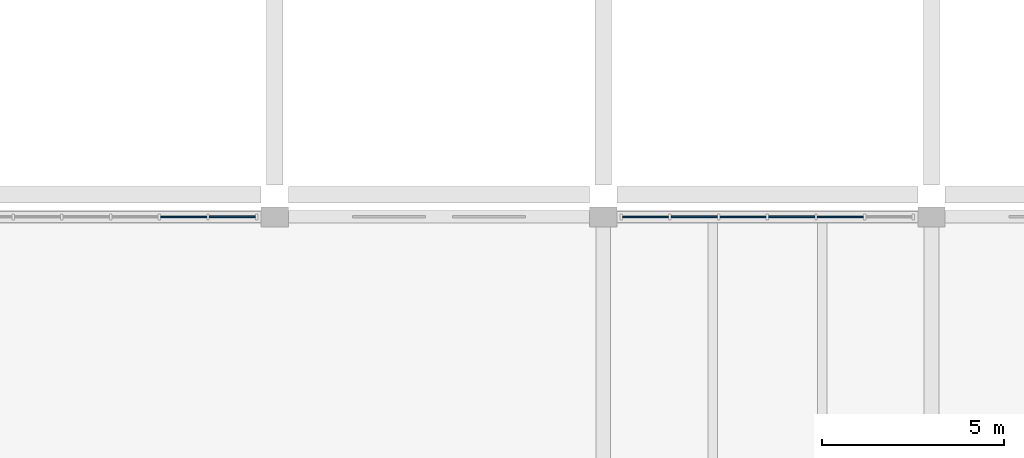
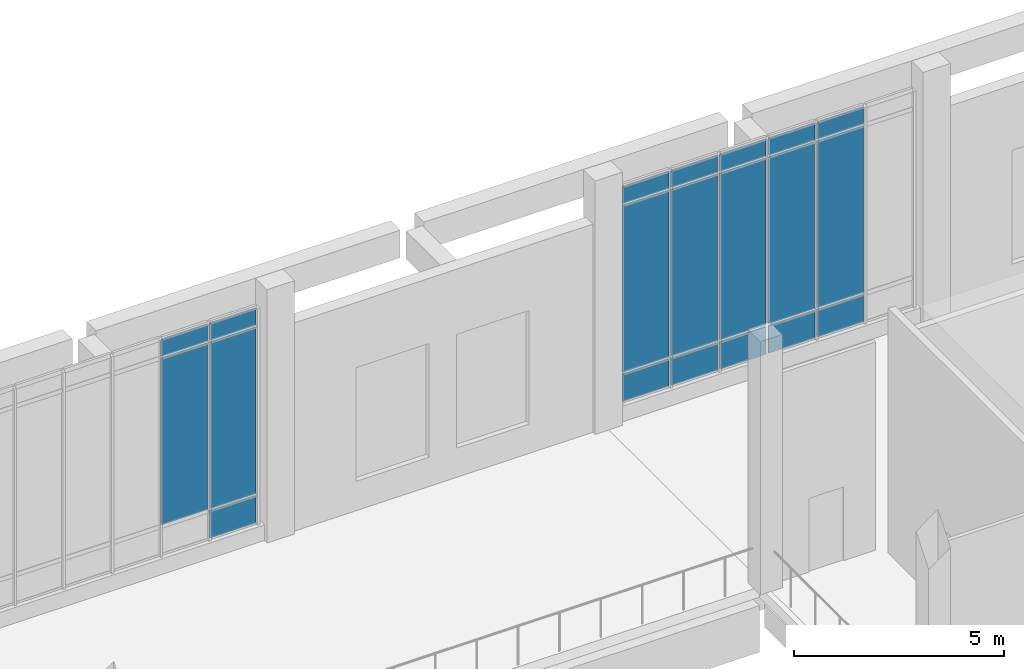
# One storey, part 57 of 110: 20 plates, 2 elements without a shape of their own.
"""IFC4 building model written with IfcOpenShell, lengths in metres."""

from ifc_helpers import new_model, si_unit, direction, frame, origin, origin_2d, place, context, subcontext, project, spatial, rectangle, extrude, material, layer, layer_set, type_object, element, aggregate, save


model = new_model("IFC4")

# Units and contexts
model_context = context("Model", 3, precision=1e-05, world=origin(), true_north=direction((0.0, 1.0)))
body_context = subcontext(model_context, "Body", "Model", "MODEL_VIEW")
ifc_project = project(units=[si_unit("LENGTHUNIT", "METRE"), si_unit("AREAUNIT", "SQUARE_METRE"), si_unit("VOLUMEUNIT", "CUBIC_METRE"), si_unit("PLANEANGLEUNIT", "RADIAN"), si_unit("MASSUNIT", "GRAM", prefix="KILO")], contexts=[model_context])

# Site, building, storey
site_placement = place(None, origin())
site = spatial("IfcSite", under=ifc_project, at=site_placement, CompositionType="ELEMENT")
building_placement = place(site_placement, origin())
building = spatial("IfcBuilding", under=site, at=building_placement, Name="Zacnel Wholesale Market", CompositionType="ELEMENT")
storey_placement = place(building_placement, frame((0.0, 0.0, 6.300048828125)))
storey = spatial("IfcBuildingStorey", under=building, at=storey_placement, Name="L02", CompositionType="ELEMENT", Elevation=6.300048828125)

# Curtain wall, plates
ifc_material_1 = material(Name="Anodised aluminium", Category="aluminium")
ifc_layer_1 = layer(ifc_material_1, 0.179931640625)
ifc_layer_set_1 = layer_set([ifc_layer_1], Name="Anodised aluminium")
curtain_wall_type = type_object("IfcCurtainWallType", Name="CW-AUCT-5800", PredefinedType="NOTDEFINED", material=ifc_layer_set_1)
curtain_wall_1_placement = place(storey_placement, origin())
curtain_wall_1 = element("IfcCurtainWall", 1, at=curtain_wall_1_placement, inside=storey, type_object=curtain_wall_type, Name="Curtain wall ENV-R2-CW-L02-011", PredefinedType="NOTDEFINED")
ifc_material_2 = material(Name="Laminated hurricane-impact low-E insulated glass", Category="glass")
ifc_layer_2 = layer(ifc_material_2, 0.035888671875)
ifc_layer_set_2 = layer_set([ifc_layer_2], Name="Laminated hurricane-impact low-E insulated glass")
plate_type_1 = type_object("IfcPlateType", Name="CWP-PNL-04", PredefinedType="CURTAIN_PANEL", material=ifc_layer_set_2)
plate_1_placement = place(storey_placement, frame((105.50244140625, 47.699951171875, 1.329833984375), z_axis=(0.0, 0.0, 1.0), x_axis=(1.0, 0.0, 0.0)))
plate_1 = element("IfcPlate", 2, at=plate_1_placement, type_object=plate_type_1, Name="ENV-R2-CW-L02-011 panel 5-2", PredefinedType="CURTAIN_PANEL", context=body_context, shape_type="SweptSolid", body=[
    extrude(rectangle(XDim=1.264892578125, YDim=0.035888671875, at=origin_2d()), origin(), (0.0, 0.0, 1.0), 4.830078125),
])
plate_2_placement = place(storey_placement, frame((106.83740234375, 47.699951171875, 1.329833984375), z_axis=(0.0, 0.0, 1.0), x_axis=(1.0, 0.0, 0.0)))
plate_2 = element("IfcPlate", 3, at=plate_2_placement, type_object=plate_type_1, Name="ENV-R2-CW-L02-011 panel 6-2", PredefinedType="CURTAIN_PANEL", context=body_context, shape_type="SweptSolid", body=[
    extrude(rectangle(XDim=1.264892578125, YDim=0.035888671875, at=origin_2d()), origin(), (0.0, 0.0, 1.0), 4.830078125),
])

curtain_wall_2_placement = place(storey_placement, origin())
curtain_wall_2 = element("IfcCurtainWall", 4, at=curtain_wall_2_placement, inside=storey, type_object=curtain_wall_type, Name="Curtain wall ENV-R2-CW-L02-012", PredefinedType="NOTDEFINED")
plate_3_placement = place(storey_placement, frame((118.16259765625, 47.699951171875, 1.329833984375), z_axis=(0.0, 0.0, 1.0), x_axis=(1.0, 0.0, 0.0)))
plate_3 = element("IfcPlate", 5, at=plate_3_placement, type_object=plate_type_1, Name="ENV-R2-CW-L02-012 panel 1-2", PredefinedType="CURTAIN_PANEL", context=body_context, shape_type="SweptSolid", body=[
    extrude(rectangle(XDim=1.264892578125, YDim=0.035888671875, at=origin_2d()), origin(), (0.0, 0.0, 1.0), 4.830078125),
])
plate_4_placement = place(storey_placement, frame((119.49755859375, 47.699951171875, 1.329833984375), z_axis=(0.0, 0.0, 1.0), x_axis=(1.0, 0.0, 0.0)))
plate_4 = element("IfcPlate", 6, at=plate_4_placement, type_object=plate_type_1, Name="ENV-R2-CW-L02-012 panel 2-2", PredefinedType="CURTAIN_PANEL", context=body_context, shape_type="SweptSolid", body=[
    extrude(rectangle(XDim=1.264892578125, YDim=0.035888671875, at=origin_2d()), origin(), (0.0, 0.0, 1.0), 4.830078125),
])
plate_5_placement = place(storey_placement, frame((120.83251953125, 47.699951171875, 1.329833984375), z_axis=(0.0, 0.0, 1.0), x_axis=(1.0, 0.0, 0.0)))
plate_5 = element("IfcPlate", 7, at=plate_5_placement, type_object=plate_type_1, Name="ENV-R2-CW-L02-012 panel 3-2", PredefinedType="CURTAIN_PANEL", context=body_context, shape_type="SweptSolid", body=[
    extrude(rectangle(XDim=1.264892578125, YDim=0.035888671875, at=origin_2d()), origin(), (0.0, 0.0, 1.0), 4.830078125),
])
plate_6_placement = place(storey_placement, frame((122.16748046875, 47.699951171875, 1.329833984375), z_axis=(0.0, 0.0, 1.0), x_axis=(1.0, 0.0, 0.0)))
plate_6 = element("IfcPlate", 8, at=plate_6_placement, type_object=plate_type_1, Name="ENV-R2-CW-L02-012 panel 4-2", PredefinedType="CURTAIN_PANEL", context=body_context, shape_type="SweptSolid", body=[
    extrude(rectangle(XDim=1.264892578125, YDim=0.035888671875, at=origin_2d()), origin(), (0.0, 0.0, 1.0), 4.830078125),
])
plate_7_placement = place(storey_placement, frame((123.50244140625, 47.699951171875, 1.329833984375), z_axis=(0.0, 0.0, 1.0), x_axis=(1.0, 0.0, 0.0)))
plate_7 = element("IfcPlate", 9, at=plate_7_placement, type_object=plate_type_1, Name="ENV-R2-CW-L02-012 panel 5-2", PredefinedType="CURTAIN_PANEL", context=body_context, shape_type="SweptSolid", body=[
    extrude(rectangle(XDim=1.264892578125, YDim=0.035888671875, at=origin_2d()), origin(), (0.0, 0.0, 1.0), 4.830078125),
])

# Plate
ifc_material_3 = material(Name="Anodised aluminium", Category="aluminium")
ifc_layer_3 = layer(ifc_material_3, 0.0400390625)
ifc_layer_set_3 = layer_set([ifc_layer_3], Name="Anodised aluminium")
plate_type_2 = type_object("IfcPlateType", Name="CWP-PNL-05", PredefinedType="CURTAIN_PANEL", material=ifc_layer_set_3)
plate_8_placement = place(storey_placement, frame((105.50244140625, 47.699951171875, 6.2197265625), z_axis=(0.0, 0.0, 1.0), x_axis=(1.0, 0.0, 0.0)))
plate_8 = element("IfcPlate", 10, at=plate_8_placement, type_object=plate_type_2, Name="ENV-R2-CW-L02-011 panel 5-3", PredefinedType="CURTAIN_PANEL", context=body_context, shape_type="SweptSolid", body=[
    extrude(rectangle(XDim=1.264892578125, YDim=0.0400390625, at=origin_2d()), origin(), (0.0, 0.0, 1.0), 0.489990234375),
])

plate_9_placement = place(storey_placement, frame((118.16259765625, 47.699951171875, 0.47998046875), z_axis=(0.0, 0.0, 1.0), x_axis=(1.0, 0.0, 0.0)))
plate_9 = element("IfcPlate", 11, at=plate_9_placement, type_object=plate_type_2, Name="ENV-R2-CW-L02-012 panel 1-1", PredefinedType="CURTAIN_PANEL", context=body_context, shape_type="SweptSolid", body=[
    extrude(rectangle(XDim=1.264892578125, YDim=0.0400390625, at=origin_2d()), origin(), (0.0, 0.0, 1.0), 0.7900390625),
])

plate_10_placement = place(storey_placement, frame((118.16259765625, 47.699951171875, 6.2197265625), z_axis=(0.0, 0.0, 1.0), x_axis=(1.0, 0.0, 0.0)))
plate_10 = element("IfcPlate", 12, at=plate_10_placement, type_object=plate_type_2, Name="ENV-R2-CW-L02-012 panel 1-3", PredefinedType="CURTAIN_PANEL", context=body_context, shape_type="SweptSolid", body=[
    extrude(rectangle(XDim=1.264892578125, YDim=0.0400390625, at=origin_2d()), origin(), (0.0, 0.0, 1.0), 0.489990234375),
])

plate_11_placement = place(storey_placement, frame((120.83251953125, 47.699951171875, 0.47998046875), z_axis=(0.0, 0.0, 1.0), x_axis=(1.0, 0.0, 0.0)))
plate_11 = element("IfcPlate", 13, at=plate_11_placement, type_object=plate_type_2, Name="ENV-R2-CW-L02-012 panel 3-1", PredefinedType="CURTAIN_PANEL", context=body_context, shape_type="SweptSolid", body=[
    extrude(rectangle(XDim=1.264892578125, YDim=0.0400390625, at=origin_2d()), origin(), (0.0, 0.0, 1.0), 0.7900390625),
])

plate_12_placement = place(storey_placement, frame((120.83251953125, 47.699951171875, 6.2197265625), z_axis=(0.0, 0.0, 1.0), x_axis=(1.0, 0.0, 0.0)))
plate_12 = element("IfcPlate", 14, at=plate_12_placement, type_object=plate_type_2, Name="ENV-R2-CW-L02-012 panel 3-3", PredefinedType="CURTAIN_PANEL", context=body_context, shape_type="SweptSolid", body=[
    extrude(rectangle(XDim=1.264892578125, YDim=0.0400390625, at=origin_2d()), origin(), (0.0, 0.0, 1.0), 0.489990234375),
])

plate_13_placement = place(storey_placement, frame((123.50244140625, 47.699951171875, 0.47998046875), z_axis=(0.0, 0.0, 1.0), x_axis=(1.0, 0.0, 0.0)))
plate_13 = element("IfcPlate", 15, at=plate_13_placement, type_object=plate_type_2, Name="ENV-R2-CW-L02-012 panel 5-1", PredefinedType="CURTAIN_PANEL", context=body_context, shape_type="SweptSolid", body=[
    extrude(rectangle(XDim=1.264892578125, YDim=0.0400390625, at=origin_2d()), origin(), (0.0, 0.0, 1.0), 0.7900390625),
])

plate_14_placement = place(storey_placement, frame((123.50244140625, 47.699951171875, 6.2197265625), z_axis=(0.0, 0.0, 1.0), x_axis=(1.0, 0.0, 0.0)))
plate_14 = element("IfcPlate", 16, at=plate_14_placement, type_object=plate_type_2, Name="ENV-R2-CW-L02-012 panel 5-3", PredefinedType="CURTAIN_PANEL", context=body_context, shape_type="SweptSolid", body=[
    extrude(rectangle(XDim=1.264892578125, YDim=0.0400390625, at=origin_2d()), origin(), (0.0, 0.0, 1.0), 0.489990234375),
])

ifc_material_4 = material(Name="Honed Yucatan Maya cream limestone", Category="masonry")
ifc_layer_4 = layer(ifc_material_4, 0.044921875)
ifc_layer_set_4 = layer_set([ifc_layer_4], Name="Honed Yucatan Maya cream limestone")
plate_type_3 = type_object("IfcPlateType", Name="CWP-PNL-06", PredefinedType="CURTAIN_PANEL", material=ifc_layer_set_4)
plate_15_placement = place(storey_placement, frame((106.83740234375, 47.699951171875, 0.47998046875), z_axis=(0.0, 0.0, 1.0), x_axis=(1.0, 0.0, 0.0)))
plate_15 = element("IfcPlate", 17, at=plate_15_placement, type_object=plate_type_3, Name="ENV-R2-CW-L02-011 panel 6-1", PredefinedType="CURTAIN_PANEL", context=body_context, shape_type="SweptSolid", body=[
    extrude(rectangle(XDim=1.264892578125, YDim=0.044921875, at=origin_2d()), origin(), (0.0, 0.0, 1.0), 0.7900390625),
])

plate_16_placement = place(storey_placement, frame((106.83740234375, 47.699951171875, 6.2197265625), z_axis=(0.0, 0.0, 1.0), x_axis=(1.0, 0.0, 0.0)))
plate_16 = element("IfcPlate", 18, at=plate_16_placement, type_object=plate_type_3, Name="ENV-R2-CW-L02-011 panel 6-3", PredefinedType="CURTAIN_PANEL", context=body_context, shape_type="SweptSolid", body=[
    extrude(rectangle(XDim=1.264892578125, YDim=0.044921875, at=origin_2d()), origin(), (0.0, 0.0, 1.0), 0.489990234375),
])

aggregate(curtain_wall_1, [plate_1, plate_8, plate_15, plate_2, plate_16])

plate_17_placement = place(storey_placement, frame((119.49755859375, 47.699951171875, 0.47998046875), z_axis=(0.0, 0.0, 1.0), x_axis=(1.0, 0.0, 0.0)))
plate_17 = element("IfcPlate", 19, at=plate_17_placement, type_object=plate_type_3, Name="ENV-R2-CW-L02-012 panel 2-1", PredefinedType="CURTAIN_PANEL", context=body_context, shape_type="SweptSolid", body=[
    extrude(rectangle(XDim=1.264892578125, YDim=0.044921875, at=origin_2d()), origin(), (0.0, 0.0, 1.0), 0.7900390625),
])

plate_18_placement = place(storey_placement, frame((119.49755859375, 47.699951171875, 6.2197265625), z_axis=(0.0, 0.0, 1.0), x_axis=(1.0, 0.0, 0.0)))
plate_18 = element("IfcPlate", 20, at=plate_18_placement, type_object=plate_type_3, Name="ENV-R2-CW-L02-012 panel 2-3", PredefinedType="CURTAIN_PANEL", context=body_context, shape_type="SweptSolid", body=[
    extrude(rectangle(XDim=1.264892578125, YDim=0.044921875, at=origin_2d()), origin(), (0.0, 0.0, 1.0), 0.489990234375),
])

plate_19_placement = place(storey_placement, frame((122.16748046875, 47.699951171875, 0.47998046875), z_axis=(0.0, 0.0, 1.0), x_axis=(1.0, 0.0, 0.0)))
plate_19 = element("IfcPlate", 21, at=plate_19_placement, type_object=plate_type_3, Name="ENV-R2-CW-L02-012 panel 4-1", PredefinedType="CURTAIN_PANEL", context=body_context, shape_type="SweptSolid", body=[
    extrude(rectangle(XDim=1.264892578125, YDim=0.044921875, at=origin_2d()), origin(), (0.0, 0.0, 1.0), 0.7900390625),
])

plate_20_placement = place(storey_placement, frame((122.16748046875, 47.699951171875, 6.2197265625), z_axis=(0.0, 0.0, 1.0), x_axis=(1.0, 0.0, 0.0)))
plate_20 = element("IfcPlate", 22, at=plate_20_placement, type_object=plate_type_3, Name="ENV-R2-CW-L02-012 panel 4-3", PredefinedType="CURTAIN_PANEL", context=body_context, shape_type="SweptSolid", body=[
    extrude(rectangle(XDim=1.264892578125, YDim=0.044921875, at=origin_2d()), origin(), (0.0, 0.0, 1.0), 0.489990234375),
])

aggregate(curtain_wall_2, [plate_9, plate_3, plate_10, plate_17, plate_4, plate_18, plate_11, plate_5, plate_12, plate_19, plate_6, plate_20, plate_13, plate_7, plate_14])

save(model, "model.ifc")
